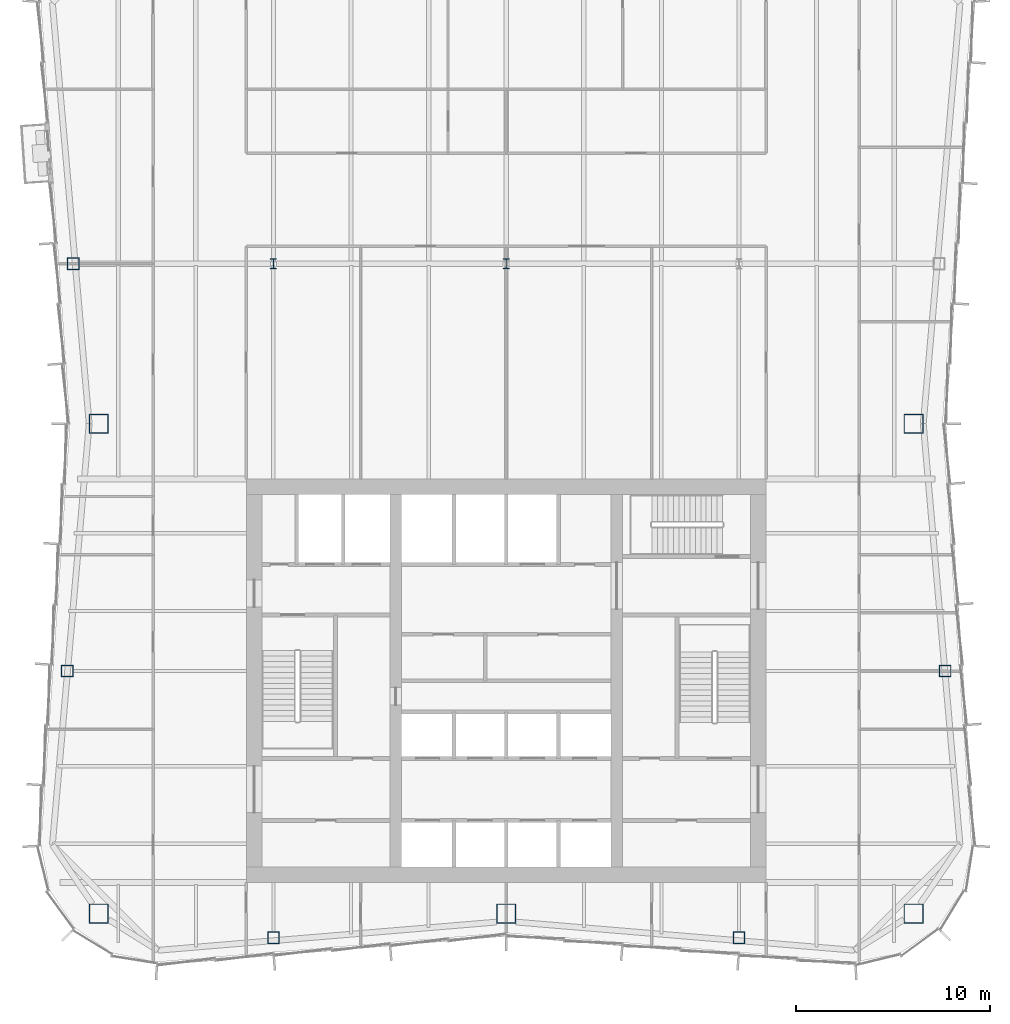
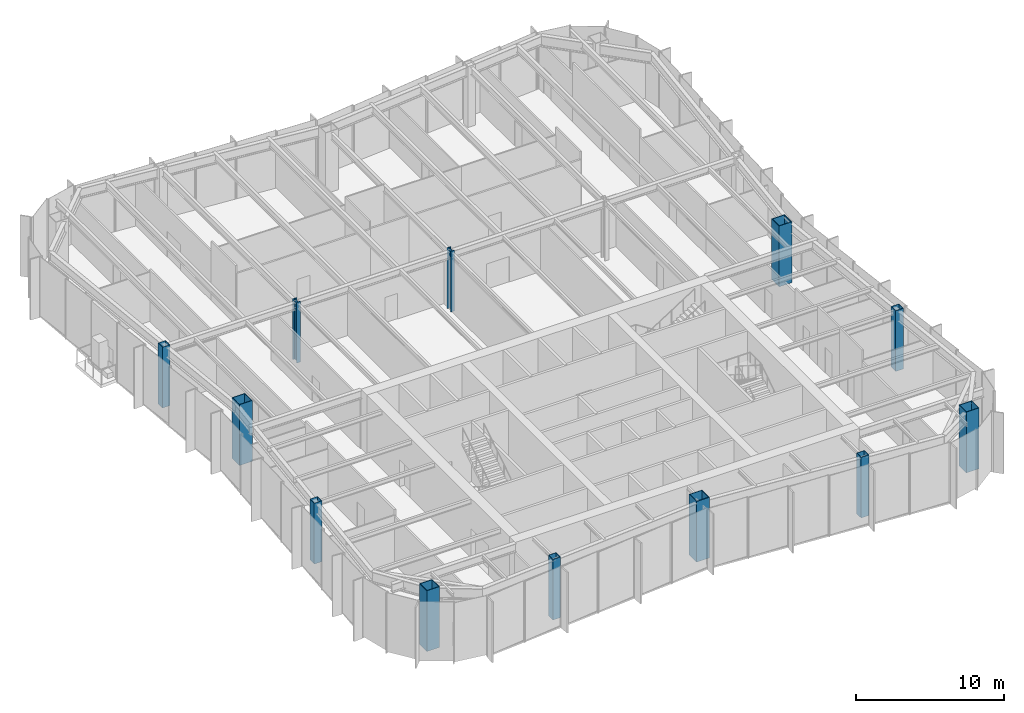
# One storey, part 1 of 15: 12 columns.
"""IFC4 building model written with IfcOpenShell, lengths in metres."""

from ifc_helpers import new_model, si_unit, direction, frame, origin, origin_2d, place, context, subcontext, project, spatial, hollow_rectangle, i_section, extrude, material, material_profile, profile_set, type_object, element, save


model = new_model("IFC4")

# Units and contexts
model_context = context("Model", 3, precision=1e-05, world=origin(), true_north=direction((0.0, 1.0)))
body_context = subcontext(model_context, "Body", "Model", "MODEL_VIEW")
ifc_project = project(units=[si_unit("LENGTHUNIT", "METRE"), si_unit("AREAUNIT", "SQUARE_METRE"), si_unit("VOLUMEUNIT", "CUBIC_METRE"), si_unit("PLANEANGLEUNIT", "RADIAN"), si_unit("MASSUNIT", "GRAM", prefix="KILO")], contexts=[model_context])

# Site, building, storey
site_placement = place(None, origin())
site = spatial("IfcSite", under=ifc_project, at=site_placement, CompositionType="ELEMENT")
building_placement = place(site_placement, origin())
building = spatial("IfcBuilding", under=site, at=building_placement, Name="Verdant Reach Tower", CompositionType="ELEMENT")
storey_placement = place(building_placement, frame((0.0, 0.0, 233.0)))
storey = spatial("IfcBuildingStorey", under=building, at=storey_placement, Name="L53", CompositionType="ELEMENT", Elevation=233.0)

# Columns
ifc_material = material(Name="Steel S460", Category="steel")
ifc_material_profile_1 = material_profile(ifc_material, i_section(OverallWidth=0.305908203125, OverallDepth=0.52392578125, WebThickness=0.012451171875, FlangeThickness=0.0400390625, FilletRadius=0.027099609375, at=origin_2d()), Name="HEM 500")
ifc_profile_set_1 = profile_set([ifc_material_profile_1], Name="Steel S460")
column_type_1 = type_object("IfcColumnType", Name="ST-COL-HEM500", PredefinedType="COLUMN", material=ifc_profile_set_1)
for number, where, z_axis, x_axis, name in (
    (1, (-12.0, 49.5, 0.0), (0.0, 0.0, 1.0), (1.0, 0.0, 0.0), "Interior column 1, L53"),
    (2, (0.0, 49.5, 0.0), (0.0, 0.0, 1.0), (1.0, 0.0, 0.0), "Interior column 2, L53"),
):
    element("IfcColumn", number, at=place(storey_placement, frame(where, z_axis=z_axis, x_axis=x_axis)), inside=storey, type_object=column_type_1, Name=name, PredefinedType="COLUMN", context=body_context, shape_type="SweptSolid", body=[
        extrude(i_section(OverallWidth=0.305908203125, OverallDepth=0.52392578125, WebThickness=0.012451171875, FlangeThickness=0.0400390625, FilletRadius=0.027099609375, at=origin_2d()), origin(), (0.0, 0.0, 1.0), 5.0),
    ])
ifc_material_profile_2 = material_profile(ifc_material, hollow_rectangle(XDim=1.0, YDim=1.0, WallThickness=0.044921875, at=origin_2d()), Name="WB 1000x1000x45")
ifc_profile_set_2 = profile_set([ifc_material_profile_2], Name="Steel S460")
column_type_2 = type_object("IfcColumnType", Name="ST-COL-WB1000x1000x45", PredefinedType="COLUMN", material=ifc_profile_set_2)
for number, where, z_axis, x_axis, name in (
    (3, (21.0, 41.25, 0.0), (0.0, 0.0, 1.0), (1.0, 0.0, 0.0), "Mega column east, L53"),
    (4, (21.0, 16.0, 0.0), (0.0, 0.0, 1.0), (1.0, 0.0, 0.0), "Mega column south-east, L53"),
    (5, (0.0, 16.0, 0.0), (0.0, 0.0, 1.0), (1.0, 0.0, 0.0), "Mega column south, L53"),
    (6, (-21.0, 16.0, 0.0), (0.0, 0.0, 1.0), (1.0, 0.0, 0.0), "Mega column south-west, L53"),
    (7, (-21.0, 41.25, 0.0), (0.0, 0.0, 1.0), (1.0, 0.0, 0.0), "Mega column west, L53"),
):
    element("IfcColumn", number, at=place(storey_placement, frame(where, z_axis=z_axis, x_axis=x_axis)), inside=storey, type_object=column_type_2, Name=name, PredefinedType="COLUMN", context=body_context, shape_type="SweptSolid", body=[
        extrude(hollow_rectangle(XDim=1.0, YDim=1.0, WallThickness=0.044921875, at=origin_2d()), origin(), (0.0, 0.0, 1.0), 5.0),
    ])
ifc_material_profile_3 = material_profile(ifc_material, hollow_rectangle(XDim=0.60009765625, YDim=0.60009765625, WallThickness=0.02490234375, at=origin_2d()), Name="WB 600x600x25")
ifc_profile_set_3 = profile_set([ifc_material_profile_3], Name="Steel S460")
column_type_3 = type_object("IfcColumnType", Name="ST-COL-WB600x600x25", PredefinedType="COLUMN", material=ifc_profile_set_3)
for number, where, z_axis, x_axis, name in (
    (8, (-12.0, 14.75, 0.0), (0.0, 0.0, 1.0), (1.0, 0.0, 0.0), "Perimeter column south 1, L53"),
    (9, (12.0, 14.75, 0.0), (0.0, 0.0, 1.0), (1.0, 0.0, 0.0), "Perimeter column south 2, L53"),
    (10, (22.62939453125, 28.5, 0.0), (0.0, 0.0, 1.0), (1.0, 0.0, 0.0), "Perimeter column east 1, L53"),
    (11, (-22.62939453125, 28.5, 0.0), (0.0, 0.0, 1.0), (1.0, 0.0, 0.0), "Perimeter column west 1, L53"),
    (12, (-22.319091796875, 49.5, 0.0), (0.0, 0.0, 1.0), (1.0, 0.0, 0.0), "Perimeter column west 2, L53"),
):
    element("IfcColumn", number, at=place(storey_placement, frame(where, z_axis=z_axis, x_axis=x_axis)), inside=storey, type_object=column_type_3, Name=name, PredefinedType="COLUMN", context=body_context, shape_type="SweptSolid", body=[
        extrude(hollow_rectangle(XDim=0.60009765625, YDim=0.60009765625, WallThickness=0.02490234375, at=origin_2d()), origin(), (0.0, 0.0, 1.0), 5.0),
    ])

save(model, "model.ifc")
